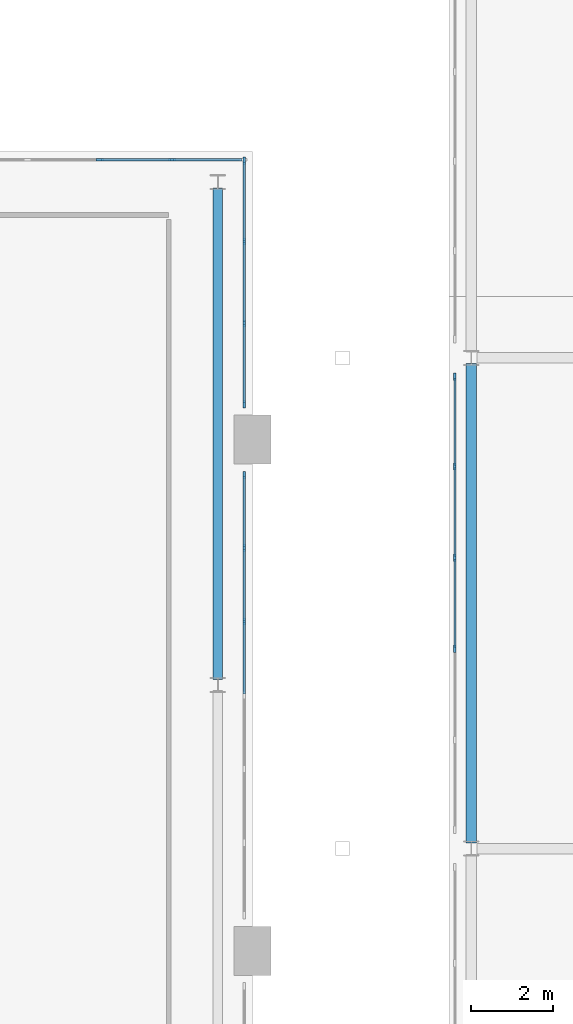
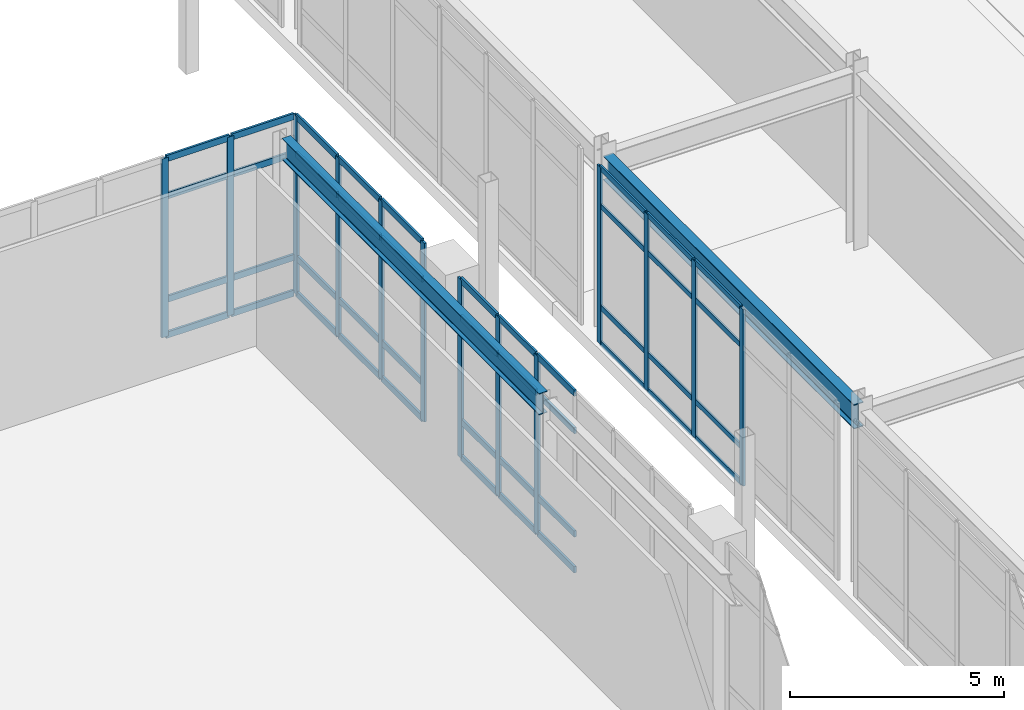
# One storey, part 69 of 159: 57 members, 2 beams, 4 elements without a shape of their own.
"""IFC4 building model written with IfcOpenShell, lengths in metres."""

from ifc_helpers import new_model, si_unit, derived_unit, direction, frame, origin, origin_2d, place, context, subcontext, project, spatial, rectangle, i_section, extrude, material, layer, layer_set, material_profile, profile_set, type_object, element, aggregate, save


model = new_model("IFC4")

# Units and contexts
model_context = context("Model", 3, precision=1e-05, world=origin(), true_north=direction((0.0, 1.0)))
body_context = subcontext(model_context, "Body", "Model", "MODEL_VIEW")
ifc_project = project(units=[si_unit("LENGTHUNIT", "METRE"), si_unit("AREAUNIT", "SQUARE_METRE"), si_unit("VOLUMEUNIT", "CUBIC_METRE"), si_unit("PLANEANGLEUNIT", "RADIAN"), si_unit("MASSUNIT", "GRAM", prefix="KILO"), derived_unit("THERMALTRANSMITTANCEUNIT", [(si_unit("MASSUNIT", "GRAM", prefix="KILO"), 1), (si_unit("TIMEUNIT", "SECOND"), -3), (si_unit("THERMODYNAMICTEMPERATUREUNIT", "KELVIN"), -1)])], contexts=[model_context])

# Site, building, storey
site_placement = place(None, origin())
site = spatial("IfcSite", under=ifc_project, at=site_placement, CompositionType="ELEMENT")
building_placement = place(site_placement, origin())
building = spatial("IfcBuilding", under=site, at=building_placement, Name="Valcora Ridge Arena", CompositionType="ELEMENT")
storey_placement = place(building_placement, frame((0.0, 0.0, 6.0)))
storey = spatial("IfcBuildingStorey", under=building, at=storey_placement, Name="L01", CompositionType="ELEMENT", Elevation=6.0)

# Beams
ifc_material_1 = material(Name="Steel ASTM A572 Grade 50", Category="steel")
ifc_material_profile_1 = material_profile(ifc_material_1, i_section(OverallWidth=0.22900390625, OverallDepth=0.612060546875, WebThickness=0.011962890625, FlangeThickness=0.01953125, FilletRadius=0.01806640625, at=origin_2d()), Name="W24X84")
ifc_profile_set_1 = profile_set([ifc_material_profile_1], Name="Steel ASTM A572 Grade 50")
beam_type_1 = type_object("IfcBeamType", Name="TY-BEAM-G-W24X84-Y", PredefinedType="BEAM", material=ifc_profile_set_1)
beam_1_placement = place(storey_placement, frame((131.0, 32.139892578125, 4.7939453125), z_axis=(0.0, 1.0, 0.0), x_axis=(-1.0, 0.0, 0.0)))
element("IfcBeam", 1, at=beam_1_placement, inside=storey, type_object=beam_type_1, Name="G-W24X84-Y BEM-G-W24X84-Y-0019", PredefinedType="BEAM", context=body_context, shape_type="SweptSolid", body=[
    extrude(i_section(OverallWidth=0.22900390625, OverallDepth=0.612060546875, WebThickness=0.011962890625, FlangeThickness=0.01953125, FilletRadius=0.01806640625, at=origin_2d()), origin(), (0.0, 0.0, 1.0), 12.02001953125),
])
ifc_material_profile_2 = material_profile(ifc_material_1, i_section(OverallWidth=0.256103515625, OverallDepth=0.693115234375, WebThickness=0.014404296875, FlangeThickness=0.023681640625, FilletRadius=0.02001953125, at=origin_2d()), Name="W27X114")
ifc_profile_set_2 = profile_set([ifc_material_profile_2], Name="Steel ASTM A572 Grade 50")
beam_type_2 = type_object("IfcBeamType", Name="TY-BEAM-G-W27X114-Y", PredefinedType="BEAM", material=ifc_profile_set_2)
beam_2_placement = place(storey_placement, frame((137.199951171875, 28.139892578125, 4.693603515625), z_axis=(0.0, 1.0, 0.0), x_axis=(-1.0, 0.0, 0.0)))
element("IfcBeam", 2, at=beam_2_placement, inside=storey, type_object=beam_type_2, Name="G-W27X114-Y BEM-G-W27X114-Y-0036", PredefinedType="BEAM", context=body_context, shape_type="SweptSolid", body=[
    extrude(i_section(OverallWidth=0.256103515625, OverallDepth=0.693115234375, WebThickness=0.014404296875, FlangeThickness=0.023681640625, FilletRadius=0.02001953125, at=origin_2d()), origin(), (0.0, 0.0, 1.0), 11.72021484375),
])

# Curtain wall, members
ifc_material_2 = material(Name="Anodised dark bronze architectural aluminium 6063-T6", Category="aluminium")
ifc_layer_1 = layer(ifc_material_2, 0.179931640625, Name="Anodised dark bronze architectural aluminium 6063-T6")
ifc_layer_set_1 = layer_set([ifc_layer_1], Name="Anodised dark bronze architectural aluminium 6063-T6")
curtain_wall_type_1 = type_object("IfcCurtainWallType", Name="TY-CURTAINWALL-CW-V3-LANCET-108X51", PredefinedType="NOTDEFINED", material=ifc_layer_set_1)
curtain_wall_1_placement = place(storey_placement, origin())
curtain_wall_1 = element("IfcCurtainWall", 3, at=curtain_wall_1_placement, inside=storey, type_object=curtain_wall_type_1, Name="CW-V3-LANCET-108X51 CW-0015", PredefinedType="NOTDEFINED")
ifc_material_profile_3 = material_profile(ifc_material_2, rectangle(XDim=0.06005859375, YDim=0.179931640625, at=origin_2d()), Name="ALU MULLION 60x180")
ifc_profile_set_3 = profile_set([ifc_material_profile_3], Name="Anodised dark bronze architectural aluminium 6063-T6")
member_type_1 = type_object("IfcMemberType", Name="TY-MEM-CWM-60x180", PredefinedType="MULLION", material=ifc_profile_set_3)
member_1_placement = place(storey_placement, frame((131.64990234375, 33.55322265625, 0.0), z_axis=(0.0, 0.0, 1.0), x_axis=(-1.0, 0.0, 0.0)))
member_1 = element("IfcMember", 4, at=member_1_placement, type_object=member_type_1, Name="CW-0015/CWM-60x180/M04", PredefinedType="MULLION", context=body_context, shape_type="SweptSolid", body=[
    extrude(rectangle(XDim=0.06005859375, YDim=0.179931640625, at=origin_2d()), origin(), (0.0, 0.0, 1.0), 5.10009765625),
])
member_2_placement = place(storey_placement, frame((131.64990234375, 35.356689453125, 0.0), z_axis=(0.0, 0.0, 1.0), x_axis=(-1.0, 0.0, 0.0)))
member_2 = element("IfcMember", 5, at=member_2_placement, type_object=member_type_1, Name="CW-0015/CWM-60x180/M05", PredefinedType="MULLION", context=body_context, shape_type="SweptSolid", body=[
    extrude(rectangle(XDim=0.06005859375, YDim=0.179931640625, at=origin_2d()), origin(), (0.0, 0.0, 1.0), 5.10009765625),
])
member_3_placement = place(storey_placement, frame((131.64990234375, 37.1298828125, 0.0), z_axis=(0.0, 0.0, 1.0), x_axis=(-1.0, 0.0, 0.0)))
member_3 = element("IfcMember", 6, at=member_3_placement, type_object=member_type_1, Name="CW-0015/CWM-60x180/M06", PredefinedType="MULLION", context=body_context, shape_type="SweptSolid", body=[
    extrude(rectangle(XDim=0.06005859375, YDim=0.179931640625, at=origin_2d()), origin(), (0.0, 0.0, 1.0), 5.10009765625),
])

ifc_layer_2 = layer(ifc_material_2, 0.179931640625, Name="Anodised dark bronze architectural aluminium 6063-T6")
ifc_layer_set_2 = layer_set([ifc_layer_2], Name="Anodised dark bronze architectural aluminium 6063-T6")
curtain_wall_type_2 = type_object("IfcCurtainWallType", Name="TY-CURTAINWALL-CW-V3-LANCET-060X51", PredefinedType="NOTDEFINED", material=ifc_layer_set_2)
curtain_wall_2_placement = place(storey_placement, origin())
curtain_wall_2 = element("IfcCurtainWall", 7, at=curtain_wall_2_placement, inside=storey, type_object=curtain_wall_type_2, Name="CW-V3-LANCET-060X51 CW-0016", PredefinedType="NOTDEFINED")
member_4_placement = place(storey_placement, frame((131.64990234375, 38.8701171875, 0.0), z_axis=(0.0, 0.0, 1.0), x_axis=(-1.0, 0.0, 0.0)))
member_4 = element("IfcMember", 8, at=member_4_placement, type_object=member_type_1, Name="CW-0016/CWM-60x180/M00", PredefinedType="MULLION", context=body_context, shape_type="SweptSolid", body=[
    extrude(rectangle(XDim=0.06005859375, YDim=0.179931640625, at=origin_2d()), origin(), (0.0, 0.0, 1.0), 5.10009765625),
])
member_5_placement = place(storey_placement, frame((131.64990234375, 40.84326171875, 0.0), z_axis=(0.0, 0.0, 1.0), x_axis=(-1.0, 0.0, 0.0)))
member_5 = element("IfcMember", 9, at=member_5_placement, type_object=member_type_1, Name="CW-0016/CWM-60x180/M01", PredefinedType="MULLION", context=body_context, shape_type="SweptSolid", body=[
    extrude(rectangle(XDim=0.06005859375, YDim=0.179931640625, at=origin_2d()), origin(), (0.0, 0.0, 1.0), 5.10009765625),
])
member_6_placement = place(storey_placement, frame((131.64990234375, 42.8466796875, 0.0), z_axis=(0.0, 0.0, 1.0), x_axis=(-1.0, 0.0, 0.0)))
member_6 = element("IfcMember", 10, at=member_6_placement, type_object=member_type_1, Name="CW-0016/CWM-60x180/M02", PredefinedType="MULLION", context=body_context, shape_type="SweptSolid", body=[
    extrude(rectangle(XDim=0.06005859375, YDim=0.179931640625, at=origin_2d()), origin(), (0.0, 0.0, 1.0), 5.10009765625),
])
member_7_placement = place(storey_placement, frame((131.64990234375, 44.820068359375, 0.0), z_axis=(0.0, 0.0, 1.0), x_axis=(-1.0, 0.0, 0.0)))
member_7 = element("IfcMember", 11, at=member_7_placement, type_object=member_type_1, Name="CW-0016/CWM-60x180/M03", PredefinedType="MULLION", context=body_context, shape_type="SweptSolid", body=[
    extrude(rectangle(XDim=0.06005859375, YDim=0.179931640625, at=origin_2d()), origin(), (0.0, 0.0, 1.0), 5.10009765625),
])

ifc_layer_3 = layer(ifc_material_2, 0.179931640625, Name="Anodised dark bronze architectural aluminium 6063-T6")
ifc_layer_set_3 = layer_set([ifc_layer_3], Name="Anodised dark bronze architectural aluminium 6063-T6")
curtain_wall_type_3 = type_object("IfcCurtainWallType", Name="TY-CURTAINWALL-CW-V3-LANCET-194X51", PredefinedType="NOTDEFINED", material=ifc_layer_set_3)
curtain_wall_3_placement = place(storey_placement, origin())
curtain_wall_3 = element("IfcCurtainWall", 12, at=curtain_wall_3_placement, inside=storey, type_object=curtain_wall_type_3, Name="CW-V3-LANCET-194X51 CW-0017", PredefinedType="NOTDEFINED")
member_8_placement = place(storey_placement, frame((128.113525390625, 44.85009765625, 0.0), z_axis=(0.0, 0.0, 1.0), x_axis=(0.0, 1.0, 0.0)))
member_8 = element("IfcMember", 13, at=member_8_placement, type_object=member_type_1, Name="CW-0017/CWM-60x180/M09", PredefinedType="MULLION", context=body_context, shape_type="SweptSolid", body=[
    extrude(rectangle(XDim=0.06005859375, YDim=0.179931640625, at=origin_2d()), origin(), (0.0, 0.0, 1.0), 5.10009765625),
])
member_9_placement = place(storey_placement, frame((129.8818359375, 44.85009765625, 0.0), z_axis=(0.0, 0.0, 1.0), x_axis=(0.0, 1.0, 0.0)))
member_9 = element("IfcMember", 14, at=member_9_placement, type_object=member_type_1, Name="CW-0017/CWM-60x180/M10", PredefinedType="MULLION", context=body_context, shape_type="SweptSolid", body=[
    extrude(rectangle(XDim=0.06005859375, YDim=0.179931640625, at=origin_2d()), origin(), (0.0, 0.0, 1.0), 5.10009765625),
])

ifc_layer_4 = layer(ifc_material_2, 0.179931640625, Name="Anodised dark bronze architectural aluminium 6063-T6")
ifc_layer_set_4 = layer_set([ifc_layer_4], Name="Anodised dark bronze architectural aluminium 6063-T6")
curtain_wall_type_4 = type_object("IfcCurtainWallType", Name="TY-CURTAINWALL-CW-V2-GLAZ-111X50", PredefinedType="NOTDEFINED", material=ifc_layer_set_4)
curtain_wall_4_placement = place(storey_placement, origin())
curtain_wall_4 = element("IfcCurtainWall", 15, at=curtain_wall_4_placement, inside=storey, type_object=curtain_wall_type_4, Name="CW-V2-GLAZ-111X50 CW-0040", PredefinedType="NOTDEFINED")
member_10_placement = place(storey_placement, frame((136.800048828125, 32.88525390625, 0.0), z_axis=(0.0, 0.0, 1.0), x_axis=(-1.0, 0.0, 0.0)))
member_10 = element("IfcMember", 16, at=member_10_placement, type_object=member_type_1, Name="CW-0040/CWM-60x180/M02", PredefinedType="MULLION", context=body_context, shape_type="SweptSolid", body=[
    extrude(rectangle(XDim=0.06005859375, YDim=0.179931640625, at=origin_2d()), origin(), (0.0, 0.0, 1.0), 5.0400390625),
])
member_11_placement = place(storey_placement, frame((136.800048828125, 35.11474609375, 0.0), z_axis=(0.0, 0.0, 1.0), x_axis=(-1.0, 0.0, 0.0)))
member_11 = element("IfcMember", 17, at=member_11_placement, type_object=member_type_1, Name="CW-0040/CWM-60x180/M03", PredefinedType="MULLION", context=body_context, shape_type="SweptSolid", body=[
    extrude(rectangle(XDim=0.06005859375, YDim=0.179931640625, at=origin_2d()), origin(), (0.0, 0.0, 1.0), 5.0400390625),
])
member_12_placement = place(storey_placement, frame((136.800048828125, 37.343994140625, 0.0), z_axis=(0.0, 0.0, 1.0), x_axis=(-1.0, 0.0, 0.0)))
member_12 = element("IfcMember", 18, at=member_12_placement, type_object=member_type_1, Name="CW-0040/CWM-60x180/M04", PredefinedType="MULLION", context=body_context, shape_type="SweptSolid", body=[
    extrude(rectangle(XDim=0.06005859375, YDim=0.179931640625, at=origin_2d()), origin(), (0.0, 0.0, 1.0), 5.0400390625),
])
member_13_placement = place(storey_placement, frame((136.800048828125, 39.54345703125, 0.0), z_axis=(0.0, 0.0, 1.0), x_axis=(-1.0, 0.0, 0.0)))
member_13 = element("IfcMember", 19, at=member_13_placement, type_object=member_type_1, Name="CW-0040/CWM-60x180/M05", PredefinedType="MULLION", context=body_context, shape_type="SweptSolid", body=[
    extrude(rectangle(XDim=0.06005859375, YDim=0.179931640625, at=origin_2d()), origin(), (0.0, 0.0, 1.0), 5.0400390625),
])
ifc_material_profile_4 = material_profile(ifc_material_2, rectangle(XDim=0.050048828125, YDim=0.14990234375, at=origin_2d()), Name="ALU TRANSOM 50x150")
ifc_profile_set_4 = profile_set([ifc_material_profile_4], Name="Anodised dark bronze architectural aluminium 6063-T6")
member_type_2 = type_object("IfcMemberType", Name="TY-MEM-CWT-50x150", PredefinedType="USERDEFINED", material=ifc_profile_set_4)
member_14_placement = place(storey_placement, frame((136.800048828125, 32.91552734375, 0.02490234375), z_axis=(0.0, 1.0, 0.0), x_axis=(-1.0, 0.0, 0.0)))
member_14 = element("IfcMember", 20, at=member_14_placement, type_object=member_type_2, Name="CW-0040/CWT-50x150/T02-00", ObjectType="TRANSOM", PredefinedType="USERDEFINED", context=body_context, shape_type="SweptSolid", body=[
    extrude(rectangle(XDim=0.050048828125, YDim=0.14990234375, at=origin_2d()), origin(), (0.0, 0.0, 1.0), 2.1689453125),
])
member_15_placement = place(storey_placement, frame((136.800048828125, 32.91552734375, 1.050048828125), z_axis=(0.0, 1.0, 0.0), x_axis=(-1.0, 0.0, 0.0)))
member_15 = element("IfcMember", 21, at=member_15_placement, type_object=member_type_2, Name="CW-0040/CWT-50x150/T02-01", ObjectType="TRANSOM", PredefinedType="USERDEFINED", context=body_context, shape_type="SweptSolid", body=[
    extrude(rectangle(XDim=0.050048828125, YDim=0.14990234375, at=origin_2d()), origin(), (0.0, 0.0, 1.0), 2.1689453125),
])
member_16_placement = place(storey_placement, frame((136.800048828125, 32.91552734375, 3.93994140625), z_axis=(0.0, 1.0, 0.0), x_axis=(-1.0, 0.0, 0.0)))
member_16 = element("IfcMember", 22, at=member_16_placement, type_object=member_type_2, Name="CW-0040/CWT-50x150/T02-02", ObjectType="TRANSOM", PredefinedType="USERDEFINED", context=body_context, shape_type="SweptSolid", body=[
    extrude(rectangle(XDim=0.050048828125, YDim=0.14990234375, at=origin_2d()), origin(), (0.0, 0.0, 1.0), 2.1689453125),
])
member_17_placement = place(storey_placement, frame((136.800048828125, 32.91552734375, 5.014892578125), z_axis=(0.0, 1.0, 0.0), x_axis=(-1.0, 0.0, 0.0)))
member_17 = element("IfcMember", 23, at=member_17_placement, type_object=member_type_2, Name="CW-0040/CWT-50x150/T02-03", ObjectType="TRANSOM", PredefinedType="USERDEFINED", context=body_context, shape_type="SweptSolid", body=[
    extrude(rectangle(XDim=0.050048828125, YDim=0.14990234375, at=origin_2d()), origin(), (0.0, 0.0, 1.0), 2.1689453125),
])
member_18_placement = place(storey_placement, frame((136.800048828125, 35.14453125, 0.02490234375), z_axis=(0.0, 1.0, 0.0), x_axis=(-1.0, 0.0, 0.0)))
member_18 = element("IfcMember", 24, at=member_18_placement, type_object=member_type_2, Name="CW-0040/CWT-50x150/T03-00", ObjectType="TRANSOM", PredefinedType="USERDEFINED", context=body_context, shape_type="SweptSolid", body=[
    extrude(rectangle(XDim=0.050048828125, YDim=0.14990234375, at=origin_2d()), origin(), (0.0, 0.0, 1.0), 2.169921875),
])
member_19_placement = place(storey_placement, frame((136.800048828125, 35.14453125, 1.050048828125), z_axis=(0.0, 1.0, 0.0), x_axis=(-1.0, 0.0, 0.0)))
member_19 = element("IfcMember", 25, at=member_19_placement, type_object=member_type_2, Name="CW-0040/CWT-50x150/T03-01", ObjectType="TRANSOM", PredefinedType="USERDEFINED", context=body_context, shape_type="SweptSolid", body=[
    extrude(rectangle(XDim=0.050048828125, YDim=0.14990234375, at=origin_2d()), origin(), (0.0, 0.0, 1.0), 2.169921875),
])
member_20_placement = place(storey_placement, frame((136.800048828125, 35.14453125, 3.93994140625), z_axis=(0.0, 1.0, 0.0), x_axis=(-1.0, 0.0, 0.0)))
member_20 = element("IfcMember", 26, at=member_20_placement, type_object=member_type_2, Name="CW-0040/CWT-50x150/T03-02", ObjectType="TRANSOM", PredefinedType="USERDEFINED", context=body_context, shape_type="SweptSolid", body=[
    extrude(rectangle(XDim=0.050048828125, YDim=0.14990234375, at=origin_2d()), origin(), (0.0, 0.0, 1.0), 2.169921875),
])
member_21_placement = place(storey_placement, frame((136.800048828125, 35.14453125, 5.014892578125), z_axis=(0.0, 1.0, 0.0), x_axis=(-1.0, 0.0, 0.0)))
member_21 = element("IfcMember", 27, at=member_21_placement, type_object=member_type_2, Name="CW-0040/CWT-50x150/T03-03", ObjectType="TRANSOM", PredefinedType="USERDEFINED", context=body_context, shape_type="SweptSolid", body=[
    extrude(rectangle(XDim=0.050048828125, YDim=0.14990234375, at=origin_2d()), origin(), (0.0, 0.0, 1.0), 2.169921875),
])
member_22_placement = place(storey_placement, frame((136.800048828125, 37.37451171875, 0.02490234375), z_axis=(0.0, 1.0, 0.0), x_axis=(-1.0, 0.0, 0.0)))
member_22 = element("IfcMember", 28, at=member_22_placement, type_object=member_type_2, Name="CW-0040/CWT-50x150/T04-00", ObjectType="TRANSOM", PredefinedType="USERDEFINED", context=body_context, shape_type="SweptSolid", body=[
    extrude(rectangle(XDim=0.050048828125, YDim=0.14990234375, at=origin_2d()), origin(), (0.0, 0.0, 1.0), 2.138916015625),
])
member_23_placement = place(storey_placement, frame((136.800048828125, 37.37451171875, 1.050048828125), z_axis=(0.0, 1.0, 0.0), x_axis=(-1.0, 0.0, 0.0)))
member_23 = element("IfcMember", 29, at=member_23_placement, type_object=member_type_2, Name="CW-0040/CWT-50x150/T04-01", ObjectType="TRANSOM", PredefinedType="USERDEFINED", context=body_context, shape_type="SweptSolid", body=[
    extrude(rectangle(XDim=0.050048828125, YDim=0.14990234375, at=origin_2d()), origin(), (0.0, 0.0, 1.0), 2.138916015625),
])
member_24_placement = place(storey_placement, frame((136.800048828125, 37.37451171875, 3.93994140625), z_axis=(0.0, 1.0, 0.0), x_axis=(-1.0, 0.0, 0.0)))
member_24 = element("IfcMember", 30, at=member_24_placement, type_object=member_type_2, Name="CW-0040/CWT-50x150/T04-02", ObjectType="TRANSOM", PredefinedType="USERDEFINED", context=body_context, shape_type="SweptSolid", body=[
    extrude(rectangle(XDim=0.050048828125, YDim=0.14990234375, at=origin_2d()), origin(), (0.0, 0.0, 1.0), 2.138916015625),
])
member_25_placement = place(storey_placement, frame((136.800048828125, 37.37451171875, 5.014892578125), z_axis=(0.0, 1.0, 0.0), x_axis=(-1.0, 0.0, 0.0)))
member_25 = element("IfcMember", 31, at=member_25_placement, type_object=member_type_2, Name="CW-0040/CWT-50x150/T04-03", ObjectType="TRANSOM", PredefinedType="USERDEFINED", context=body_context, shape_type="SweptSolid", body=[
    extrude(rectangle(XDim=0.050048828125, YDim=0.14990234375, at=origin_2d()), origin(), (0.0, 0.0, 1.0), 2.138916015625),
])
aggregate(curtain_wall_4, [member_10, member_11, member_12, member_13, member_14, member_15, member_16, member_17, member_18, member_19, member_20, member_21, member_22, member_23, member_24, member_25])

# Member
ifc_material_profile_5 = material_profile(ifc_material_2, rectangle(XDim=0.06005859375, YDim=0.179931640625, at=origin_2d()), Name="ALU TRANSOM 60x180")
ifc_profile_set_5 = profile_set([ifc_material_profile_5], Name="Anodised dark bronze architectural aluminium 6063-T6")
member_type_3 = type_object("IfcMemberType", Name="TY-MEM-CWT-60x180", PredefinedType="USERDEFINED", material=ifc_profile_set_5)
member_26_placement = place(storey_placement, frame((131.64990234375, 31.780029296875, 0.030029296875), z_axis=(0.0, 1.0, 0.0), x_axis=(-1.0, 0.0, 0.0)))
member_26 = element("IfcMember", 32, at=member_26_placement, type_object=member_type_3, Name="CW-0015/CWT-60x180/T03-00", ObjectType="TRANSOM", PredefinedType="USERDEFINED", context=body_context, shape_type="SweptSolid", body=[
    extrude(rectangle(XDim=0.06005859375, YDim=0.179931640625, at=origin_2d()), origin(), (0.0, 0.0, 1.0), 1.742919921875),
])

member_27_placement = place(storey_placement, frame((131.64990234375, 31.780029296875, 1.050048828125), z_axis=(0.0, 1.0, 0.0), x_axis=(-1.0, 0.0, 0.0)))
member_27 = element("IfcMember", 33, at=member_27_placement, type_object=member_type_3, Name="CW-0015/CWT-60x180/T03-01", ObjectType="TRANSOM", PredefinedType="USERDEFINED", context=body_context, shape_type="SweptSolid", body=[
    extrude(rectangle(XDim=0.06005859375, YDim=0.179931640625, at=origin_2d()), origin(), (0.0, 0.0, 1.0), 1.742919921875),
])

member_28_placement = place(storey_placement, frame((131.64990234375, 31.780029296875, 4.0), z_axis=(0.0, 1.0, 0.0), x_axis=(-1.0, 0.0, 0.0)))
member_28 = element("IfcMember", 34, at=member_28_placement, type_object=member_type_3, Name="CW-0015/CWT-60x180/T03-02", ObjectType="TRANSOM", PredefinedType="USERDEFINED", context=body_context, shape_type="SweptSolid", body=[
    extrude(rectangle(XDim=0.06005859375, YDim=0.179931640625, at=origin_2d()), origin(), (0.0, 0.0, 1.0), 1.742919921875),
])

member_29_placement = place(storey_placement, frame((131.64990234375, 31.780029296875, 5.070068359375), z_axis=(0.0, 1.0, 0.0), x_axis=(-1.0, 0.0, 0.0)))
member_29 = element("IfcMember", 35, at=member_29_placement, type_object=member_type_3, Name="CW-0015/CWT-60x180/T03-03", ObjectType="TRANSOM", PredefinedType="USERDEFINED", context=body_context, shape_type="SweptSolid", body=[
    extrude(rectangle(XDim=0.06005859375, YDim=0.179931640625, at=origin_2d()), origin(), (0.0, 0.0, 1.0), 1.742919921875),
])

member_30_placement = place(storey_placement, frame((131.64990234375, 33.5830078125, 0.030029296875), z_axis=(0.0, 1.0, 0.0), x_axis=(-1.0, 0.0, 0.0)))
member_30 = element("IfcMember", 36, at=member_30_placement, type_object=member_type_3, Name="CW-0015/CWT-60x180/T04-00", ObjectType="TRANSOM", PredefinedType="USERDEFINED", context=body_context, shape_type="SweptSolid", body=[
    extrude(rectangle(XDim=0.06005859375, YDim=0.179931640625, at=origin_2d()), origin(), (0.0, 0.0, 1.0), 1.743896484375),
])

member_31_placement = place(storey_placement, frame((131.64990234375, 33.5830078125, 1.050048828125), z_axis=(0.0, 1.0, 0.0), x_axis=(-1.0, 0.0, 0.0)))
member_31 = element("IfcMember", 37, at=member_31_placement, type_object=member_type_3, Name="CW-0015/CWT-60x180/T04-01", ObjectType="TRANSOM", PredefinedType="USERDEFINED", context=body_context, shape_type="SweptSolid", body=[
    extrude(rectangle(XDim=0.06005859375, YDim=0.179931640625, at=origin_2d()), origin(), (0.0, 0.0, 1.0), 1.743896484375),
])

member_32_placement = place(storey_placement, frame((131.64990234375, 33.5830078125, 4.0), z_axis=(0.0, 1.0, 0.0), x_axis=(-1.0, 0.0, 0.0)))
member_32 = element("IfcMember", 38, at=member_32_placement, type_object=member_type_3, Name="CW-0015/CWT-60x180/T04-02", ObjectType="TRANSOM", PredefinedType="USERDEFINED", context=body_context, shape_type="SweptSolid", body=[
    extrude(rectangle(XDim=0.06005859375, YDim=0.179931640625, at=origin_2d()), origin(), (0.0, 0.0, 1.0), 1.743896484375),
])

member_33_placement = place(storey_placement, frame((131.64990234375, 33.5830078125, 5.070068359375), z_axis=(0.0, 1.0, 0.0), x_axis=(-1.0, 0.0, 0.0)))
member_33 = element("IfcMember", 39, at=member_33_placement, type_object=member_type_3, Name="CW-0015/CWT-60x180/T04-03", ObjectType="TRANSOM", PredefinedType="USERDEFINED", context=body_context, shape_type="SweptSolid", body=[
    extrude(rectangle(XDim=0.06005859375, YDim=0.179931640625, at=origin_2d()), origin(), (0.0, 0.0, 1.0), 1.743896484375),
])

member_34_placement = place(storey_placement, frame((131.64990234375, 35.386962890625, 0.030029296875), z_axis=(0.0, 1.0, 0.0), x_axis=(-1.0, 0.0, 0.0)))
member_34 = element("IfcMember", 40, at=member_34_placement, type_object=member_type_3, Name="CW-0015/CWT-60x180/T05-00", ObjectType="TRANSOM", PredefinedType="USERDEFINED", context=body_context, shape_type="SweptSolid", body=[
    extrude(rectangle(XDim=0.06005859375, YDim=0.179931640625, at=origin_2d()), origin(), (0.0, 0.0, 1.0), 1.713134765625),
])

member_35_placement = place(storey_placement, frame((131.64990234375, 35.386962890625, 1.050048828125), z_axis=(0.0, 1.0, 0.0), x_axis=(-1.0, 0.0, 0.0)))
member_35 = element("IfcMember", 41, at=member_35_placement, type_object=member_type_3, Name="CW-0015/CWT-60x180/T05-01", ObjectType="TRANSOM", PredefinedType="USERDEFINED", context=body_context, shape_type="SweptSolid", body=[
    extrude(rectangle(XDim=0.06005859375, YDim=0.179931640625, at=origin_2d()), origin(), (0.0, 0.0, 1.0), 1.713134765625),
])

member_36_placement = place(storey_placement, frame((131.64990234375, 35.386962890625, 4.0), z_axis=(0.0, 1.0, 0.0), x_axis=(-1.0, 0.0, 0.0)))
member_36 = element("IfcMember", 42, at=member_36_placement, type_object=member_type_3, Name="CW-0015/CWT-60x180/T05-02", ObjectType="TRANSOM", PredefinedType="USERDEFINED", context=body_context, shape_type="SweptSolid", body=[
    extrude(rectangle(XDim=0.06005859375, YDim=0.179931640625, at=origin_2d()), origin(), (0.0, 0.0, 1.0), 1.713134765625),
])

member_37_placement = place(storey_placement, frame((131.64990234375, 35.386962890625, 5.070068359375), z_axis=(0.0, 1.0, 0.0), x_axis=(-1.0, 0.0, 0.0)))
member_37 = element("IfcMember", 43, at=member_37_placement, type_object=member_type_3, Name="CW-0015/CWT-60x180/T05-03", ObjectType="TRANSOM", PredefinedType="USERDEFINED", context=body_context, shape_type="SweptSolid", body=[
    extrude(rectangle(XDim=0.06005859375, YDim=0.179931640625, at=origin_2d()), origin(), (0.0, 0.0, 1.0), 1.713134765625),
])

aggregate(curtain_wall_1, [member_1, member_2, member_3, member_26, member_27, member_28, member_29, member_30, member_31, member_32, member_33, member_34, member_35, member_36, member_37])

member_38_placement = place(storey_placement, frame((131.64990234375, 38.89990234375, 0.030029296875), z_axis=(0.0, 1.0, 0.0), x_axis=(-1.0, 0.0, 0.0)))
member_38 = element("IfcMember", 44, at=member_38_placement, type_object=member_type_3, Name="CW-0016/CWT-60x180/T00-00", ObjectType="TRANSOM", PredefinedType="USERDEFINED", context=body_context, shape_type="SweptSolid", body=[
    extrude(rectangle(XDim=0.06005859375, YDim=0.179931640625, at=origin_2d()), origin(), (0.0, 0.0, 1.0), 1.9130859375),
])

member_39_placement = place(storey_placement, frame((131.64990234375, 38.89990234375, 1.050048828125), z_axis=(0.0, 1.0, 0.0), x_axis=(-1.0, 0.0, 0.0)))
member_39 = element("IfcMember", 45, at=member_39_placement, type_object=member_type_3, Name="CW-0016/CWT-60x180/T00-01", ObjectType="TRANSOM", PredefinedType="USERDEFINED", context=body_context, shape_type="SweptSolid", body=[
    extrude(rectangle(XDim=0.06005859375, YDim=0.179931640625, at=origin_2d()), origin(), (0.0, 0.0, 1.0), 1.9130859375),
])

member_40_placement = place(storey_placement, frame((131.64990234375, 38.89990234375, 4.0), z_axis=(0.0, 1.0, 0.0), x_axis=(-1.0, 0.0, 0.0)))
member_40 = element("IfcMember", 46, at=member_40_placement, type_object=member_type_3, Name="CW-0016/CWT-60x180/T00-02", ObjectType="TRANSOM", PredefinedType="USERDEFINED", context=body_context, shape_type="SweptSolid", body=[
    extrude(rectangle(XDim=0.06005859375, YDim=0.179931640625, at=origin_2d()), origin(), (0.0, 0.0, 1.0), 1.9130859375),
])

member_41_placement = place(storey_placement, frame((131.64990234375, 38.89990234375, 5.070068359375), z_axis=(0.0, 1.0, 0.0), x_axis=(-1.0, 0.0, 0.0)))
member_41 = element("IfcMember", 47, at=member_41_placement, type_object=member_type_3, Name="CW-0016/CWT-60x180/T00-03", ObjectType="TRANSOM", PredefinedType="USERDEFINED", context=body_context, shape_type="SweptSolid", body=[
    extrude(rectangle(XDim=0.06005859375, YDim=0.179931640625, at=origin_2d()), origin(), (0.0, 0.0, 1.0), 1.9130859375),
])

member_42_placement = place(storey_placement, frame((131.64990234375, 40.873046875, 0.030029296875), z_axis=(0.0, 1.0, 0.0), x_axis=(-1.0, 0.0, 0.0)))
member_42 = element("IfcMember", 48, at=member_42_placement, type_object=member_type_3, Name="CW-0016/CWT-60x180/T01-00", ObjectType="TRANSOM", PredefinedType="USERDEFINED", context=body_context, shape_type="SweptSolid", body=[
    extrude(rectangle(XDim=0.06005859375, YDim=0.179931640625, at=origin_2d()), origin(), (0.0, 0.0, 1.0), 1.94384765625),
])

member_43_placement = place(storey_placement, frame((131.64990234375, 40.873046875, 1.050048828125), z_axis=(0.0, 1.0, 0.0), x_axis=(-1.0, 0.0, 0.0)))
member_43 = element("IfcMember", 49, at=member_43_placement, type_object=member_type_3, Name="CW-0016/CWT-60x180/T01-01", ObjectType="TRANSOM", PredefinedType="USERDEFINED", context=body_context, shape_type="SweptSolid", body=[
    extrude(rectangle(XDim=0.06005859375, YDim=0.179931640625, at=origin_2d()), origin(), (0.0, 0.0, 1.0), 1.94384765625),
])

member_44_placement = place(storey_placement, frame((131.64990234375, 40.873046875, 4.0), z_axis=(0.0, 1.0, 0.0), x_axis=(-1.0, 0.0, 0.0)))
member_44 = element("IfcMember", 50, at=member_44_placement, type_object=member_type_3, Name="CW-0016/CWT-60x180/T01-02", ObjectType="TRANSOM", PredefinedType="USERDEFINED", context=body_context, shape_type="SweptSolid", body=[
    extrude(rectangle(XDim=0.06005859375, YDim=0.179931640625, at=origin_2d()), origin(), (0.0, 0.0, 1.0), 1.94384765625),
])

member_45_placement = place(storey_placement, frame((131.64990234375, 40.873046875, 5.070068359375), z_axis=(0.0, 1.0, 0.0), x_axis=(-1.0, 0.0, 0.0)))
member_45 = element("IfcMember", 51, at=member_45_placement, type_object=member_type_3, Name="CW-0016/CWT-60x180/T01-03", ObjectType="TRANSOM", PredefinedType="USERDEFINED", context=body_context, shape_type="SweptSolid", body=[
    extrude(rectangle(XDim=0.06005859375, YDim=0.179931640625, at=origin_2d()), origin(), (0.0, 0.0, 1.0), 1.94384765625),
])

member_46_placement = place(storey_placement, frame((131.64990234375, 42.876953125, 0.030029296875), z_axis=(0.0, 1.0, 0.0), x_axis=(-1.0, 0.0, 0.0)))
member_46 = element("IfcMember", 52, at=member_46_placement, type_object=member_type_3, Name="CW-0016/CWT-60x180/T02-00", ObjectType="TRANSOM", PredefinedType="USERDEFINED", context=body_context, shape_type="SweptSolid", body=[
    extrude(rectangle(XDim=0.06005859375, YDim=0.179931640625, at=origin_2d()), origin(), (0.0, 0.0, 1.0), 1.9130859375),
])

member_47_placement = place(storey_placement, frame((131.64990234375, 42.876953125, 1.050048828125), z_axis=(0.0, 1.0, 0.0), x_axis=(-1.0, 0.0, 0.0)))
member_47 = element("IfcMember", 53, at=member_47_placement, type_object=member_type_3, Name="CW-0016/CWT-60x180/T02-01", ObjectType="TRANSOM", PredefinedType="USERDEFINED", context=body_context, shape_type="SweptSolid", body=[
    extrude(rectangle(XDim=0.06005859375, YDim=0.179931640625, at=origin_2d()), origin(), (0.0, 0.0, 1.0), 1.9130859375),
])

member_48_placement = place(storey_placement, frame((131.64990234375, 42.876953125, 4.0), z_axis=(0.0, 1.0, 0.0), x_axis=(-1.0, 0.0, 0.0)))
member_48 = element("IfcMember", 54, at=member_48_placement, type_object=member_type_3, Name="CW-0016/CWT-60x180/T02-02", ObjectType="TRANSOM", PredefinedType="USERDEFINED", context=body_context, shape_type="SweptSolid", body=[
    extrude(rectangle(XDim=0.06005859375, YDim=0.179931640625, at=origin_2d()), origin(), (0.0, 0.0, 1.0), 1.9130859375),
])

member_49_placement = place(storey_placement, frame((131.64990234375, 42.876953125, 5.070068359375), z_axis=(0.0, 1.0, 0.0), x_axis=(-1.0, 0.0, 0.0)))
member_49 = element("IfcMember", 55, at=member_49_placement, type_object=member_type_3, Name="CW-0016/CWT-60x180/T02-03", ObjectType="TRANSOM", PredefinedType="USERDEFINED", context=body_context, shape_type="SweptSolid", body=[
    extrude(rectangle(XDim=0.06005859375, YDim=0.179931640625, at=origin_2d()), origin(), (0.0, 0.0, 1.0), 1.9130859375),
])

aggregate(curtain_wall_2, [member_4, member_5, member_6, member_7, member_38, member_39, member_40, member_41, member_42, member_43, member_44, member_45, member_46, member_47, member_48, member_49])

member_50_placement = place(storey_placement, frame((128.14404296875, 44.85009765625, 0.030029296875), z_axis=(1.0, 0.0, 0.0), x_axis=(0.0, 1.0, 0.0)))
member_50 = element("IfcMember", 56, at=member_50_placement, type_object=member_type_3, Name="CW-0017/CWT-60x180/T09-00", ObjectType="TRANSOM", PredefinedType="USERDEFINED", context=body_context, shape_type="SweptSolid", body=[
    extrude(rectangle(XDim=0.06005859375, YDim=0.179931640625, at=origin_2d()), origin(), (0.0, 0.0, 1.0), 1.7080078125),
])

member_51_placement = place(storey_placement, frame((128.14404296875, 44.85009765625, 1.050048828125), z_axis=(1.0, 0.0, 0.0), x_axis=(0.0, 1.0, 0.0)))
member_51 = element("IfcMember", 57, at=member_51_placement, type_object=member_type_3, Name="CW-0017/CWT-60x180/T09-01", ObjectType="TRANSOM", PredefinedType="USERDEFINED", context=body_context, shape_type="SweptSolid", body=[
    extrude(rectangle(XDim=0.06005859375, YDim=0.179931640625, at=origin_2d()), origin(), (0.0, 0.0, 1.0), 1.7080078125),
])

member_52_placement = place(storey_placement, frame((128.14404296875, 44.85009765625, 4.0), z_axis=(1.0, 0.0, 0.0), x_axis=(0.0, 1.0, 0.0)))
member_52 = element("IfcMember", 58, at=member_52_placement, type_object=member_type_3, Name="CW-0017/CWT-60x180/T09-02", ObjectType="TRANSOM", PredefinedType="USERDEFINED", context=body_context, shape_type="SweptSolid", body=[
    extrude(rectangle(XDim=0.06005859375, YDim=0.179931640625, at=origin_2d()), origin(), (0.0, 0.0, 1.0), 1.7080078125),
])

member_53_placement = place(storey_placement, frame((128.14404296875, 44.85009765625, 5.070068359375), z_axis=(1.0, 0.0, 0.0), x_axis=(0.0, 1.0, 0.0)))
member_53 = element("IfcMember", 59, at=member_53_placement, type_object=member_type_3, Name="CW-0017/CWT-60x180/T09-03", ObjectType="TRANSOM", PredefinedType="USERDEFINED", context=body_context, shape_type="SweptSolid", body=[
    extrude(rectangle(XDim=0.06005859375, YDim=0.179931640625, at=origin_2d()), origin(), (0.0, 0.0, 1.0), 1.7080078125),
])

member_54_placement = place(storey_placement, frame((129.912109375, 44.85009765625, 0.030029296875), z_axis=(1.0, 0.0, 0.0), x_axis=(0.0, 1.0, 0.0)))
member_54 = element("IfcMember", 60, at=member_54_placement, type_object=member_type_3, Name="CW-0017/CWT-60x180/T10-00", ObjectType="TRANSOM", PredefinedType="USERDEFINED", context=body_context, shape_type="SweptSolid", body=[
    extrude(rectangle(XDim=0.06005859375, YDim=0.179931640625, at=origin_2d()), origin(), (0.0, 0.0, 1.0), 1.677978515625),
])

member_55_placement = place(storey_placement, frame((129.912109375, 44.85009765625, 1.050048828125), z_axis=(1.0, 0.0, 0.0), x_axis=(0.0, 1.0, 0.0)))
member_55 = element("IfcMember", 61, at=member_55_placement, type_object=member_type_3, Name="CW-0017/CWT-60x180/T10-01", ObjectType="TRANSOM", PredefinedType="USERDEFINED", context=body_context, shape_type="SweptSolid", body=[
    extrude(rectangle(XDim=0.06005859375, YDim=0.179931640625, at=origin_2d()), origin(), (0.0, 0.0, 1.0), 1.677978515625),
])

member_56_placement = place(storey_placement, frame((129.912109375, 44.85009765625, 4.0), z_axis=(1.0, 0.0, 0.0), x_axis=(0.0, 1.0, 0.0)))
member_56 = element("IfcMember", 62, at=member_56_placement, type_object=member_type_3, Name="CW-0017/CWT-60x180/T10-02", ObjectType="TRANSOM", PredefinedType="USERDEFINED", context=body_context, shape_type="SweptSolid", body=[
    extrude(rectangle(XDim=0.06005859375, YDim=0.179931640625, at=origin_2d()), origin(), (0.0, 0.0, 1.0), 1.677978515625),
])

member_57_placement = place(storey_placement, frame((129.912109375, 44.85009765625, 5.070068359375), z_axis=(1.0, 0.0, 0.0), x_axis=(0.0, 1.0, 0.0)))
member_57 = element("IfcMember", 63, at=member_57_placement, type_object=member_type_3, Name="CW-0017/CWT-60x180/T10-03", ObjectType="TRANSOM", PredefinedType="USERDEFINED", context=body_context, shape_type="SweptSolid", body=[
    extrude(rectangle(XDim=0.06005859375, YDim=0.179931640625, at=origin_2d()), origin(), (0.0, 0.0, 1.0), 1.677978515625),
])

aggregate(curtain_wall_3, [member_8, member_9, member_50, member_51, member_52, member_53, member_54, member_55, member_56, member_57])

save(model, "model.ifc")
